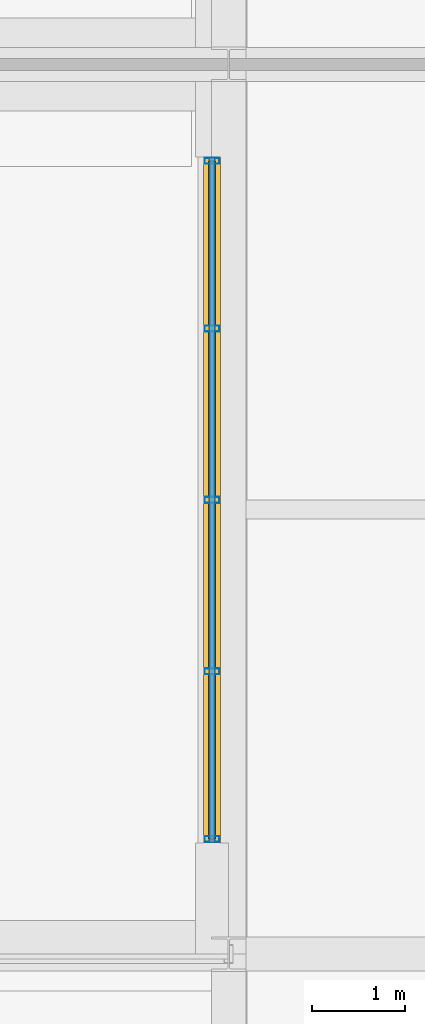
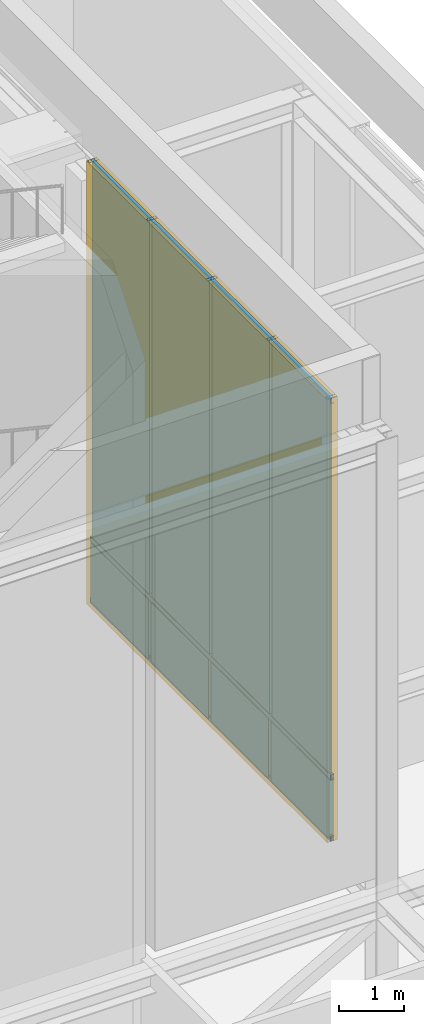
# One storey, part 9 of 17: 8 members, 8 plates, 1 curtain wall.
"""IFC4 building model written with IfcOpenShell, lengths in metres."""

import ifcopenshell
import ifcopenshell.guid

model = None  # the IFC model being written
_history = None  # IfcOwnerHistory: only IFC2X3 demands one
_inside = {}  # id of a spatial element -> (the spatial element, [elements in it])
_under = {}  # id of a project, library or spatial element -> (it, [spatial elements below it])
_declared = {}  # id of a project -> (the project, [libraries it declares])
_typed = {}  # id of a type object -> (the type object, [elements of that type])
_made_of = {}  # id of a material, layer set ... -> (it, [elements and type objects made of it])


def new_model(schema):
    """Start an empty IFC model of exactly this schema.

    Asked for "IFC4X3", IfcOpenShell would pick the latest addendum, in which some entities
    have other attributes; the version numbers below select the first issue.
    IFC2X3 requires an IfcOwnerHistory on every rooted entity: one is made here for all.
    """
    global model, _history
    if schema == "IFC4X3":
        model = ifcopenshell.file(schema_version=(4, 3, 0, 0))
    else:
        model = ifcopenshell.file(schema=schema)
    _inside.clear()
    _under.clear()
    _declared.clear()
    _typed.clear()
    _made_of.clear()
    _history = None
    if model.schema == "IFC2X3":
        org = make("IfcOrganization", Name="unknown")
        user = make(
            "IfcPersonAndOrganization",
            ThePerson=make("IfcPerson", FamilyName="unknown"),
            TheOrganization=org,
        )
        app = make(
            "IfcApplication",
            ApplicationDeveloper=org,
            Version="unknown",
            ApplicationFullName="unknown",
            ApplicationIdentifier="unknown",
        )
        _history = make(
            "IfcOwnerHistory",
            OwningUser=user,
            OwningApplication=app,
            ChangeAction="ADDED",
            CreationDate=0,
        )
    return model


def make(cls, **values):
    """One entity of the class cls with the attributes given. An attribute that is None is left unset."""
    return model.create_entity(
        cls, **{name: value for name, value in values.items() if value is not None}
    )


def rooted(cls, **values):
    """An entity with a GlobalId (a new one), such as an element, a storey or a relation."""
    return make(cls, GlobalId=ifcopenshell.guid.new(), OwnerHistory=_history, **values)


def si_unit(unit_type, name, prefix=None):
    """IfcSIUnit, for example si_unit("LENGTHUNIT", "METRE", prefix="MILLI")."""
    return make("IfcSIUnit", UnitType=unit_type, Prefix=prefix, Name=name)


def assignment(units):
    """IfcUnitAssignment: the units of a project."""
    return None if units is None else make("IfcUnitAssignment", Units=units)


def point(xyz):
    """IfcCartesianPoint."""
    return None if xyz is None else make("IfcCartesianPoint", Coordinates=xyz)


def direction(xyz):
    """IfcDirection."""
    return None if xyz is None else make("IfcDirection", DirectionRatios=xyz)


def frame(location, z_axis=None, x_axis=None):
    """IfcAxis2Placement3D, a coordinate frame: its origin and axes. An axis left out is left unset."""
    return make(
        "IfcAxis2Placement3D",
        Location=point(location),
        Axis=direction(z_axis),
        RefDirection=direction(x_axis),
    )


def frame_2d(location, x_axis=None):
    """IfcAxis2Placement2D, a coordinate frame in the plane: its origin and x axis."""
    return make(
        "IfcAxis2Placement2D", Location=point(location), RefDirection=direction(x_axis)
    )


def origin():
    """The frame at (0, 0, 0) with its axes left unset."""
    return frame((0.0, 0.0, 0.0))


def origin_2d():
    """The frame at (0, 0) in the plane with its x axis left unset."""
    return frame_2d((0.0, 0.0))


def place(relative_to, where):
    """IfcLocalPlacement: puts the frame where relative to a parent placement (None: the world)."""
    return make(
        "IfcLocalPlacement", PlacementRelTo=relative_to, RelativePlacement=where
    )


def context(
    kind, dimensions, precision=None, world=None, true_north=None, identifier=None
):
    """IfcGeometricRepresentationContext, for example the 3D "Model" context."""
    return make(
        "IfcGeometricRepresentationContext",
        ContextIdentifier=identifier,
        ContextType=kind,
        CoordinateSpaceDimension=dimensions,
        Precision=precision,
        WorldCoordinateSystem=world,
        TrueNorth=true_north,
    )


def subcontext(parent, identifier, kind, view, scale=None):
    """IfcGeometricRepresentationSubContext, for example "Body" below "Model"."""
    return make(
        "IfcGeometricRepresentationSubContext",
        ContextIdentifier=identifier,
        ContextType=kind,
        ParentContext=parent,
        TargetScale=scale,
        TargetView=view,
    )


def project(units=None, contexts=None):
    """IfcProject with its units and contexts."""
    return rooted(
        "IfcProject",
        Name="project",
        RepresentationContexts=contexts,
        UnitsInContext=assignment(units),
    )


def spatial(cls, under=None, at=None, **own):
    """A site, building, storey or space (cls), placed at a placement, below another one or the project."""
    s = rooted(cls, ObjectPlacement=at, **own)
    if under is not None:
        _under.setdefault(under.id(), (under, []))[1].append(s)
    return s


def profile(cls, at=None, kind="AREA", **sizes):
    """A parametric profile (cls). Its sizes go by their IFC names, for example OverallWidth=200.0."""
    return make(cls, ProfileType=kind, Position=at, **sizes)


def rectangle(**sizes):
    """IfcRectangleProfileDef."""
    return profile("IfcRectangleProfileDef", **sizes)


def hollow_rectangle(**sizes):
    """IfcRectangleHollowProfileDef."""
    return profile("IfcRectangleHollowProfileDef", **sizes)


def extrude(swept, where, along, depth):
    """IfcExtrudedAreaSolid: the profile swept, set in the frame where, extruded along a direction by depth."""
    return make(
        "IfcExtrudedAreaSolid",
        SweptArea=swept,
        Position=where,
        ExtrudedDirection=direction(along),
        Depth=depth,
    )


def shape(context_of_items, identifier, shape_type, items):
    """IfcShapeRepresentation: the items that make up one representation, for example the "Body"."""
    return make(
        "IfcShapeRepresentation",
        ContextOfItems=context_of_items,
        RepresentationIdentifier=identifier,
        RepresentationType=shape_type,
        Items=items,
    )


def material(Name=None, Category=None):
    """IfcMaterial."""
    return make("IfcMaterial", Name=Name, Category=Category)


def layer(
    of_material, thickness, ventilated=None, Name=None, Category=None, Priority=None
):
    """IfcMaterialLayer: one layer of a wall or slab, of a material (None: an air gap)."""
    return make(
        "IfcMaterialLayer",
        Material=of_material,
        LayerThickness=thickness,
        IsVentilated=ventilated,
        Name=Name,
        Category=Category,
        Priority=Priority,
    )


def layer_set(layers, Name=None):
    """IfcMaterialLayerSet."""
    return make("IfcMaterialLayerSet", MaterialLayers=layers, LayerSetName=Name)


def material_profile(
    of_material, cross_section, Name=None, Category=None, Priority=None
):
    """IfcMaterialProfile: a cross section and its material."""
    return make(
        "IfcMaterialProfile",
        Name=Name,
        Material=of_material,
        Profile=cross_section,
        Priority=Priority,
        Category=Category,
    )


def profile_set(profiles, Name=None, composite=None):
    """IfcMaterialProfileSet."""
    return make(
        "IfcMaterialProfileSet",
        Name=Name,
        MaterialProfiles=profiles,
        CompositeProfile=composite,
    )


def made_of(thing, what):
    """Note that an element or type object is made of a material, layer set ...; save() writes the relation."""
    if what is not None:
        _made_of.setdefault(what.id(), (what, []))[1].append(thing)
    return thing


def type_object(cls, material=None, **own):
    """A type object (cls), such as IfcWallType, which elements share."""
    return made_of(rooted(cls, **own), material)


def element(
    cls,
    number,
    at=None,
    inside=None,
    cuts=None,
    type_object=None,
    material=None,
    context=None,
    identifier="Body",
    shape_type=None,
    held_by="IfcProductDefinitionShape",
    body=None,
    shapes=None,
    **own,
):
    """One element of the class cls, such as IfcWall. Its Tag is "e" and its number.

    at: its placement. inside: the storey or other place that contains it. cuts: it is an
    opening in that element (IfcRelVoidsElement). A single representation is given by context,
    identifier, shape_type and body (its items); several are given by shapes. held_by: the class
    of the entity that holds the representations. save() writes the other relations.
    """
    e = rooted(cls, Tag="e%d" % number, ObjectPlacement=at, **own)
    if body is not None:
        shapes = [shape(context, identifier, shape_type, body)]
    if shapes is not None:
        e.Representation = make(held_by, Representations=shapes)
    if inside is not None:
        _inside.setdefault(inside.id(), (inside, []))[1].append(e)
    if cuts is not None:
        rooted(
            "IfcRelVoidsElement", RelatingBuildingElement=cuts, RelatedOpeningElement=e
        )
    if type_object is not None:
        _typed.setdefault(type_object.id(), (type_object, []))[1].append(e)
    return made_of(e, material)


def aggregate(whole, parts):
    """IfcRelAggregates: a whole, such as a stair, and the parts it consists of."""
    return rooted("IfcRelAggregates", RelatingObject=whole, RelatedObjects=parts)


def save(model, path):
    """Write the relations noted so far, then the file.

    IfcRelAggregates (storeys below a building ...), IfcRelContainedInSpatialStructure (elements
    in a storey), IfcRelDefinesByType, IfcRelAssociatesMaterial and IfcRelDeclares: one each for
    every whole, place, type object, material and project.
    """
    for whole, parts in _under.values():
        aggregate(whole, parts)
    for where, things in _inside.values():
        rooted(
            "IfcRelContainedInSpatialStructure",
            RelatedElements=things,
            RelatingStructure=where,
        )
    for kind, things in _typed.values():
        rooted("IfcRelDefinesByType", RelatedObjects=things, RelatingType=kind)
    for what, things in _made_of.values():
        rooted("IfcRelAssociatesMaterial", RelatedObjects=things, RelatingMaterial=what)
    for by, libraries in _declared.values():
        rooted("IfcRelDeclares", RelatingContext=by, RelatedDefinitions=libraries)
    model.write(path)


model = new_model("IFC4")

# Units and contexts
model_context = context("Model", 3, precision=1e-05, world=origin(), true_north=direction((0.0, 1.0)))
body_context = subcontext(model_context, "Body", "Model", "MODEL_VIEW")
ifc_project = project(units=[si_unit("LENGTHUNIT", "METRE"), si_unit("AREAUNIT", "SQUARE_METRE"), si_unit("VOLUMEUNIT", "CUBIC_METRE"), si_unit("PLANEANGLEUNIT", "RADIAN"), si_unit("MASSUNIT", "GRAM", prefix="KILO")], contexts=[model_context])

# Member
ifc_material_1 = material(Name="Anodized Aluminium 6063-T6", Category="aluminium")
ifc_material_profile_1 = material_profile(ifc_material_1, hollow_rectangle(XDim=0.06494140625, YDim=0.159912109375, WallThickness=0.00390625, at=origin_2d()), Name="Anodized Aluminium 6063-T6")
ifc_profile_set_1 = profile_set([ifc_material_profile_1], Name="Anodized Aluminium 6063-T6")
member_type_1 = type_object("IfcMemberType", Name="Curtain Wall Mullion 160", PredefinedType="MULLION", material=ifc_profile_set_1)
site_placement = place(None, origin())
building_placement = place(site_placement, origin())
storey_placement = place(building_placement, frame((0.0, 0.0, 308.0)))
member_1_placement = place(storey_placement, frame((37.469970703125, 10.840087890625, 5.800048828125), z_axis=(0.0, 0.0, 1.0), x_axis=(0.0, 1.0, 0.0)))
member_1 = element("IfcMember", 1, at=member_1_placement, type_object=member_type_1, Name="Curtain Wall Mullion CW-L78-LANT-E-M01", PredefinedType="MULLION", context=body_context, shape_type="SweptSolid", body=[
    extrude(hollow_rectangle(XDim=0.06494140625, YDim=0.159912109375, WallThickness=0.00390625, at=origin_2d()), origin(), (0.0, 0.0, 1.0), 8.320068359375),
])

member_2_placement = place(storey_placement, frame((37.469970703125, 12.64990234375, 5.800048828125), z_axis=(0.0, 0.0, 1.0), x_axis=(0.0, 1.0, 0.0)))
member_2 = element("IfcMember", 2, at=member_2_placement, type_object=member_type_1, Name="Curtain Wall Mullion CW-L78-LANT-E-M02", PredefinedType="MULLION", context=body_context, shape_type="SweptSolid", body=[
    extrude(hollow_rectangle(XDim=0.06494140625, YDim=0.159912109375, WallThickness=0.00390625, at=origin_2d()), origin(), (0.0, 0.0, 1.0), 8.320068359375),
])

member_3_placement = place(storey_placement, frame((37.469970703125, 14.5, 5.800048828125), z_axis=(0.0, 0.0, 1.0), x_axis=(0.0, 1.0, 0.0)))
member_3 = element("IfcMember", 3, at=member_3_placement, type_object=member_type_1, Name="Curtain Wall Mullion CW-L78-LANT-E-M03", PredefinedType="MULLION", context=body_context, shape_type="SweptSolid", body=[
    extrude(hollow_rectangle(XDim=0.06494140625, YDim=0.159912109375, WallThickness=0.00390625, at=origin_2d()), origin(), (0.0, 0.0, 1.0), 8.320068359375),
])

member_4_placement = place(storey_placement, frame((37.469970703125, 16.35009765625, 5.800048828125), z_axis=(0.0, 0.0, 1.0), x_axis=(0.0, 1.0, 0.0)))
member_4 = element("IfcMember", 4, at=member_4_placement, type_object=member_type_1, Name="Curtain Wall Mullion CW-L78-LANT-E-M04", PredefinedType="MULLION", context=body_context, shape_type="SweptSolid", body=[
    extrude(hollow_rectangle(XDim=0.06494140625, YDim=0.159912109375, WallThickness=0.00390625, at=origin_2d()), origin(), (0.0, 0.0, 1.0), 8.320068359375),
])

member_5_placement = place(storey_placement, frame((37.469970703125, 18.159912109375, 5.800048828125), z_axis=(0.0, 0.0, 1.0), x_axis=(0.0, 1.0, 0.0)))
member_5 = element("IfcMember", 5, at=member_5_placement, type_object=member_type_1, Name="Curtain Wall Mullion CW-L78-LANT-E-M05", PredefinedType="MULLION", context=body_context, shape_type="SweptSolid", body=[
    extrude(hollow_rectangle(XDim=0.06494140625, YDim=0.159912109375, WallThickness=0.00390625, at=origin_2d()), origin(), (0.0, 0.0, 1.0), 8.320068359375),
])

ifc_material_profile_2 = material_profile(ifc_material_1, hollow_rectangle(XDim=0.06005859375, YDim=0.10009765625, WallThickness=0.0029296875, at=origin_2d()), Name="Anodized Aluminium 6063-T6")
ifc_profile_set_2 = profile_set([ifc_material_profile_2], Name="Anodized Aluminium 6063-T6")
member_type_2 = type_object("IfcMemberType", Name="Curtain Wall Transom 100", PredefinedType="USERDEFINED", material=ifc_profile_set_2)
member_6_placement = place(storey_placement, frame((37.469970703125, 10.800048828125, 5.85009765625), z_axis=(0.0, 1.0, 0.0), x_axis=(-1.0, 0.0, 0.0)))
member_6 = element("IfcMember", 6, at=member_6_placement, type_object=member_type_2, Name="Curtain Wall Transom CW-L78-LANT-E-T01", ObjectType="TRANSOM", PredefinedType="USERDEFINED", context=body_context, shape_type="SweptSolid", body=[
    extrude(hollow_rectangle(XDim=0.06005859375, YDim=0.10009765625, WallThickness=0.0029296875, at=origin_2d()), origin(), (0.0, 0.0, 1.0), 7.39990234375),
])

member_7_placement = place(storey_placement, frame((37.469970703125, 10.800048828125, 7.0), z_axis=(0.0, 1.0, 0.0), x_axis=(-1.0, 0.0, 0.0)))
member_7 = element("IfcMember", 7, at=member_7_placement, type_object=member_type_2, Name="Curtain Wall Transom CW-L78-LANT-E-T02", ObjectType="TRANSOM", PredefinedType="USERDEFINED", context=body_context, shape_type="SweptSolid", body=[
    extrude(hollow_rectangle(XDim=0.06005859375, YDim=0.10009765625, WallThickness=0.0029296875, at=origin_2d()), origin(), (0.0, 0.0, 1.0), 7.39990234375),
])

member_8_placement = place(storey_placement, frame((37.469970703125, 10.800048828125, 14.070068359375), z_axis=(0.0, 1.0, 0.0), x_axis=(-1.0, 0.0, 0.0)))
member_8 = element("IfcMember", 8, at=member_8_placement, type_object=member_type_2, Name="Curtain Wall Transom CW-L78-LANT-E-T03", ObjectType="TRANSOM", PredefinedType="USERDEFINED", context=body_context, shape_type="SweptSolid", body=[
    extrude(hollow_rectangle(XDim=0.06005859375, YDim=0.10009765625, WallThickness=0.0029296875, at=origin_2d()), origin(), (0.0, 0.0, 1.0), 7.39990234375),
])

# Plate
ifc_material_2 = material(Name="Triple Low-E Argon Glazing", Category="glass")
ifc_layer_1 = layer(ifc_material_2, 0.0439453125, Name="Triple Low-E Argon Glazing")
ifc_layer_set_1 = layer_set([ifc_layer_1], Name="Triple Low-E Argon Glazing")
plate_type_1 = type_object("IfcPlateType", Name="Plate CWGlazing 44", PredefinedType="CURTAIN_PANEL", material=ifc_layer_set_1)
plate_1_placement = place(storey_placement, frame((37.469970703125, 11.72509765625, 7.0400390625), z_axis=(0.0, 0.0, 1.0), x_axis=(0.0, 1.0, 0.0)))
plate_1 = element("IfcPlate", 9, at=plate_1_placement, type_object=plate_type_1, Name="Vision Glazing Panel CW-L78-LANT-E-GL01", PredefinedType="CURTAIN_PANEL", context=body_context, shape_type="SweptSolid", body=[
    extrude(rectangle(XDim=1.77001953125, YDim=0.0439453125, at=origin_2d()), origin(), (0.0, 0.0, 1.0), 7.0400390625),
])

plate_2_placement = place(storey_placement, frame((37.469970703125, 13.574951171875, 7.0400390625), z_axis=(0.0, 0.0, 1.0), x_axis=(0.0, 1.0, 0.0)))
plate_2 = element("IfcPlate", 10, at=plate_2_placement, type_object=plate_type_1, Name="Vision Glazing Panel CW-L78-LANT-E-GL02", PredefinedType="CURTAIN_PANEL", context=body_context, shape_type="SweptSolid", body=[
    extrude(rectangle(XDim=1.77001953125, YDim=0.0439453125, at=origin_2d()), origin(), (0.0, 0.0, 1.0), 7.0400390625),
])

plate_3_placement = place(storey_placement, frame((37.469970703125, 15.425048828125, 7.0400390625), z_axis=(0.0, 0.0, 1.0), x_axis=(0.0, 1.0, 0.0)))
plate_3 = element("IfcPlate", 11, at=plate_3_placement, type_object=plate_type_1, Name="Vision Glazing Panel CW-L78-LANT-E-GL03", PredefinedType="CURTAIN_PANEL", context=body_context, shape_type="SweptSolid", body=[
    extrude(rectangle(XDim=1.77001953125, YDim=0.0439453125, at=origin_2d()), origin(), (0.0, 0.0, 1.0), 7.0400390625),
])

plate_4_placement = place(storey_placement, frame((37.469970703125, 17.27490234375, 7.0400390625), z_axis=(0.0, 0.0, 1.0), x_axis=(0.0, 1.0, 0.0)))
plate_4 = element("IfcPlate", 12, at=plate_4_placement, type_object=plate_type_1, Name="Vision Glazing Panel CW-L78-LANT-E-GL04", PredefinedType="CURTAIN_PANEL", context=body_context, shape_type="SweptSolid", body=[
    extrude(rectangle(XDim=1.77001953125, YDim=0.0439453125, at=origin_2d()), origin(), (0.0, 0.0, 1.0), 7.0400390625),
])

ifc_material_3 = material(Name="Insulated Aluminium Spandrel Panel", Category="aluminium")
ifc_layer_2 = layer(ifc_material_3, 0.080078125, Name="Insulated Aluminium Spandrel Panel")
ifc_layer_set_2 = layer_set([ifc_layer_2], Name="Insulated Aluminium Spandrel Panel")
plate_type_2 = type_object("IfcPlateType", Name="Plate CWSpandrel 80", PredefinedType="SHEET", material=ifc_layer_set_2)
plate_5_placement = place(storey_placement, frame((37.469970703125, 11.72509765625, 5.83984375), z_axis=(0.0, 0.0, 1.0), x_axis=(0.0, 1.0, 0.0)))
plate_5 = element("IfcPlate", 13, at=plate_5_placement, type_object=plate_type_2, Name="Spandrel Panel CW-L78-LANT-E-SP01", PredefinedType="SHEET", context=body_context, shape_type="SweptSolid", body=[
    extrude(rectangle(XDim=1.77001953125, YDim=0.080078125, at=origin_2d()), origin(), (0.0, 0.0, 1.0), 1.1201171875),
])

plate_6_placement = place(storey_placement, frame((37.469970703125, 13.574951171875, 5.83984375), z_axis=(0.0, 0.0, 1.0), x_axis=(0.0, 1.0, 0.0)))
plate_6 = element("IfcPlate", 14, at=plate_6_placement, type_object=plate_type_2, Name="Spandrel Panel CW-L78-LANT-E-SP02", PredefinedType="SHEET", context=body_context, shape_type="SweptSolid", body=[
    extrude(rectangle(XDim=1.77001953125, YDim=0.080078125, at=origin_2d()), origin(), (0.0, 0.0, 1.0), 1.1201171875),
])

plate_7_placement = place(storey_placement, frame((37.469970703125, 15.425048828125, 5.83984375), z_axis=(0.0, 0.0, 1.0), x_axis=(0.0, 1.0, 0.0)))
plate_7 = element("IfcPlate", 15, at=plate_7_placement, type_object=plate_type_2, Name="Spandrel Panel CW-L78-LANT-E-SP03", PredefinedType="SHEET", context=body_context, shape_type="SweptSolid", body=[
    extrude(rectangle(XDim=1.77001953125, YDim=0.080078125, at=origin_2d()), origin(), (0.0, 0.0, 1.0), 1.1201171875),
])

plate_8_placement = place(storey_placement, frame((37.469970703125, 17.27490234375, 5.83984375), z_axis=(0.0, 0.0, 1.0), x_axis=(0.0, 1.0, 0.0)))
plate_8 = element("IfcPlate", 16, at=plate_8_placement, type_object=plate_type_2, Name="Spandrel Panel CW-L78-LANT-E-SP04", PredefinedType="SHEET", context=body_context, shape_type="SweptSolid", body=[
    extrude(rectangle(XDim=1.77001953125, YDim=0.080078125, at=origin_2d()), origin(), (0.0, 0.0, 1.0), 1.1201171875),
])

# Site, building, storey
site = spatial("IfcSite", under=ifc_project, at=site_placement, CompositionType="ELEMENT")
building = spatial("IfcBuilding", under=site, at=building_placement, Name="Norrvale University Quadrangle", CompositionType="ELEMENT")
storey = spatial("IfcBuildingStorey", under=building, at=storey_placement, Name="L78", CompositionType="ELEMENT", Elevation=308.0)

# Curtain wall
ifc_material_4 = material(Name="Anodized Aluminium and Triple Glazing", Category="glass")
curtain_wall_type = type_object("IfcCurtainWallType", Name="Curtain Wall System 6 Pool Crown", PredefinedType="NOTDEFINED", material=ifc_material_4)
curtain_wall_placement = place(storey_placement, frame((37.469970703125, 10.800048828125, 5.800048828125), z_axis=(0.0, 0.0, 1.0), x_axis=(0.0, 1.0, 0.0)))
curtain_wall = element("IfcCurtainWall", 17, at=curtain_wall_placement, inside=storey, type_object=curtain_wall_type, Name="Curtain Wall CW System 6 Pool Crown CW-L78-LANT-E", PredefinedType="NOTDEFINED", context=body_context, shape_type="SweptSolid", body=[
    extrude(rectangle(XDim=7.39990234375, YDim=0.18505859375, at=frame_2d((3.699951171875, 0.0))), origin(), (0.0, 0.0, 1.0), 8.320068359375),
])

aggregate(curtain_wall, [member_1, member_2, member_3, member_4, member_5, member_6, member_7, member_8, plate_5, plate_1, plate_6, plate_2, plate_7, plate_3, plate_8, plate_4])

save(model, "model.ifc")
